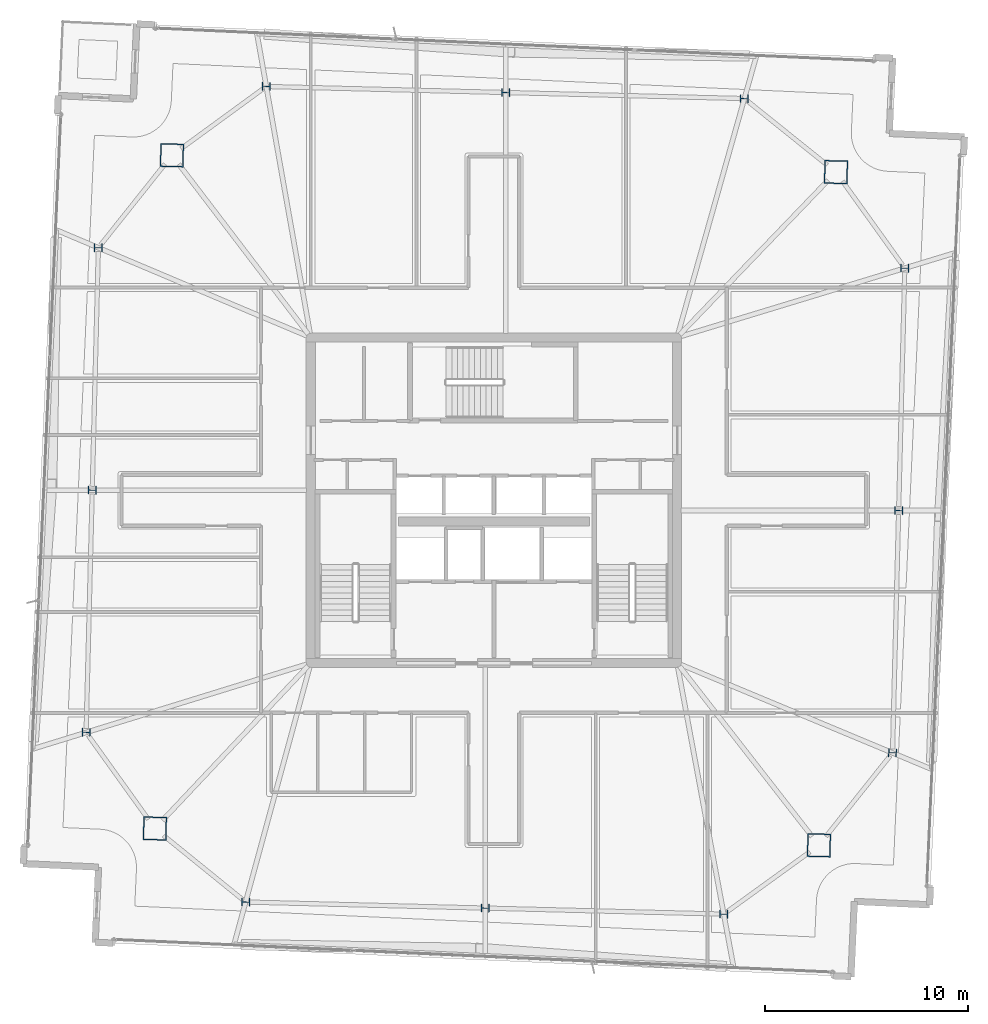
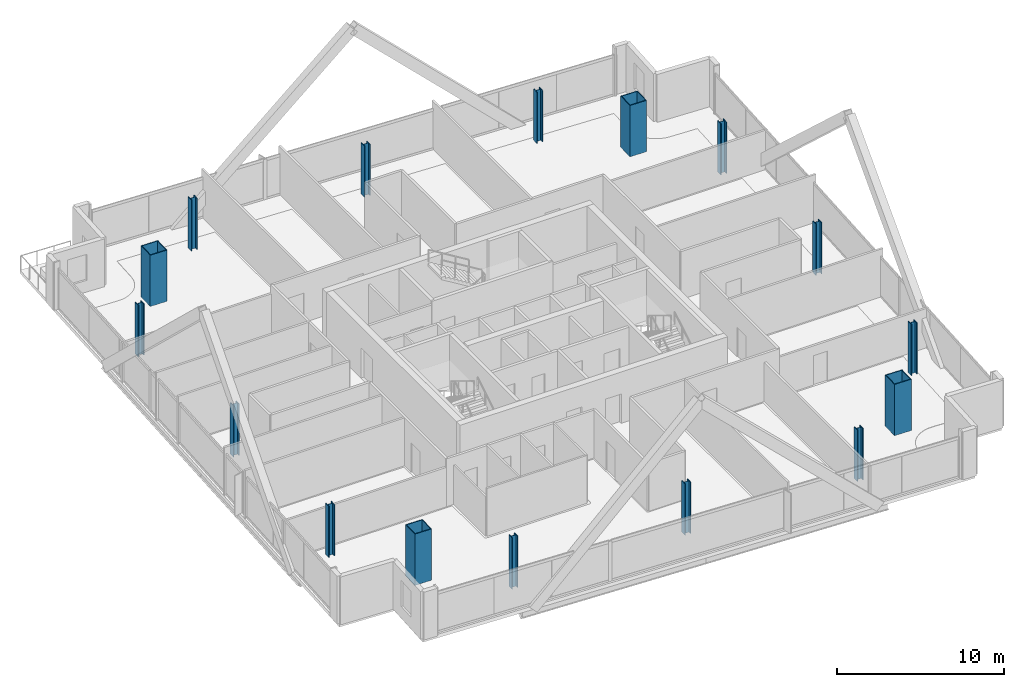
# One storey, part 1 of 26: 16 columns.
"""IFC4 building model written with IfcOpenShell, lengths in metres."""

import ifcopenshell
import ifcopenshell.guid

model = None  # the IFC model being written
_history = None  # IfcOwnerHistory: only IFC2X3 demands one
_inside = {}  # id of a spatial element -> (the spatial element, [elements in it])
_under = {}  # id of a project, library or spatial element -> (it, [spatial elements below it])
_declared = {}  # id of a project -> (the project, [libraries it declares])
_typed = {}  # id of a type object -> (the type object, [elements of that type])
_made_of = {}  # id of a material, layer set ... -> (it, [elements and type objects made of it])


def new_model(schema):
    """Start an empty IFC model of exactly this schema.

    Asked for "IFC4X3", IfcOpenShell would pick the latest addendum, in which some entities
    have other attributes; the version numbers below select the first issue.
    IFC2X3 requires an IfcOwnerHistory on every rooted entity: one is made here for all.
    """
    global model, _history
    if schema == "IFC4X3":
        model = ifcopenshell.file(schema_version=(4, 3, 0, 0))
    else:
        model = ifcopenshell.file(schema=schema)
    _inside.clear()
    _under.clear()
    _declared.clear()
    _typed.clear()
    _made_of.clear()
    _history = None
    if model.schema == "IFC2X3":
        org = make("IfcOrganization", Name="unknown")
        user = make(
            "IfcPersonAndOrganization",
            ThePerson=make("IfcPerson", FamilyName="unknown"),
            TheOrganization=org,
        )
        app = make(
            "IfcApplication",
            ApplicationDeveloper=org,
            Version="unknown",
            ApplicationFullName="unknown",
            ApplicationIdentifier="unknown",
        )
        _history = make(
            "IfcOwnerHistory",
            OwningUser=user,
            OwningApplication=app,
            ChangeAction="ADDED",
            CreationDate=0,
        )
    return model


def make(cls, **values):
    """One entity of the class cls with the attributes given. An attribute that is None is left unset."""
    return model.create_entity(
        cls, **{name: value for name, value in values.items() if value is not None}
    )


def rooted(cls, **values):
    """An entity with a GlobalId (a new one), such as an element, a storey or a relation."""
    return make(cls, GlobalId=ifcopenshell.guid.new(), OwnerHistory=_history, **values)


def si_unit(unit_type, name, prefix=None):
    """IfcSIUnit, for example si_unit("LENGTHUNIT", "METRE", prefix="MILLI")."""
    return make("IfcSIUnit", UnitType=unit_type, Prefix=prefix, Name=name)


def assignment(units):
    """IfcUnitAssignment: the units of a project."""
    return None if units is None else make("IfcUnitAssignment", Units=units)


def point(xyz):
    """IfcCartesianPoint."""
    return None if xyz is None else make("IfcCartesianPoint", Coordinates=xyz)


def direction(xyz):
    """IfcDirection."""
    return None if xyz is None else make("IfcDirection", DirectionRatios=xyz)


def frame(location, z_axis=None, x_axis=None):
    """IfcAxis2Placement3D, a coordinate frame: its origin and axes. An axis left out is left unset."""
    return make(
        "IfcAxis2Placement3D",
        Location=point(location),
        Axis=direction(z_axis),
        RefDirection=direction(x_axis),
    )


def frame_2d(location, x_axis=None):
    """IfcAxis2Placement2D, a coordinate frame in the plane: its origin and x axis."""
    return make(
        "IfcAxis2Placement2D", Location=point(location), RefDirection=direction(x_axis)
    )


def origin():
    """The frame at (0, 0, 0) with its axes left unset."""
    return frame((0.0, 0.0, 0.0))


def origin_2d():
    """The frame at (0, 0) in the plane with its x axis left unset."""
    return frame_2d((0.0, 0.0))


def place(relative_to, where):
    """IfcLocalPlacement: puts the frame where relative to a parent placement (None: the world)."""
    return make(
        "IfcLocalPlacement", PlacementRelTo=relative_to, RelativePlacement=where
    )


def context(
    kind, dimensions, precision=None, world=None, true_north=None, identifier=None
):
    """IfcGeometricRepresentationContext, for example the 3D "Model" context."""
    return make(
        "IfcGeometricRepresentationContext",
        ContextIdentifier=identifier,
        ContextType=kind,
        CoordinateSpaceDimension=dimensions,
        Precision=precision,
        WorldCoordinateSystem=world,
        TrueNorth=true_north,
    )


def subcontext(parent, identifier, kind, view, scale=None):
    """IfcGeometricRepresentationSubContext, for example "Body" below "Model"."""
    return make(
        "IfcGeometricRepresentationSubContext",
        ContextIdentifier=identifier,
        ContextType=kind,
        ParentContext=parent,
        TargetScale=scale,
        TargetView=view,
    )


def project(units=None, contexts=None):
    """IfcProject with its units and contexts."""
    return rooted(
        "IfcProject",
        Name="project",
        RepresentationContexts=contexts,
        UnitsInContext=assignment(units),
    )


def spatial(cls, under=None, at=None, **own):
    """A site, building, storey or space (cls), placed at a placement, below another one or the project."""
    s = rooted(cls, ObjectPlacement=at, **own)
    if under is not None:
        _under.setdefault(under.id(), (under, []))[1].append(s)
    return s


def profile(cls, at=None, kind="AREA", **sizes):
    """A parametric profile (cls). Its sizes go by their IFC names, for example OverallWidth=200.0."""
    return make(cls, ProfileType=kind, Position=at, **sizes)


def hollow_rectangle(**sizes):
    """IfcRectangleHollowProfileDef."""
    return profile("IfcRectangleHollowProfileDef", **sizes)


def i_section(**sizes):
    """IfcIShapeProfileDef."""
    return profile("IfcIShapeProfileDef", **sizes)


def extrude(swept, where, along, depth):
    """IfcExtrudedAreaSolid: the profile swept, set in the frame where, extruded along a direction by depth."""
    return make(
        "IfcExtrudedAreaSolid",
        SweptArea=swept,
        Position=where,
        ExtrudedDirection=direction(along),
        Depth=depth,
    )


def shape(context_of_items, identifier, shape_type, items):
    """IfcShapeRepresentation: the items that make up one representation, for example the "Body"."""
    return make(
        "IfcShapeRepresentation",
        ContextOfItems=context_of_items,
        RepresentationIdentifier=identifier,
        RepresentationType=shape_type,
        Items=items,
    )


def material(Name=None, Category=None):
    """IfcMaterial."""
    return make("IfcMaterial", Name=Name, Category=Category)


def material_profile(
    of_material, cross_section, Name=None, Category=None, Priority=None
):
    """IfcMaterialProfile: a cross section and its material."""
    return make(
        "IfcMaterialProfile",
        Name=Name,
        Material=of_material,
        Profile=cross_section,
        Priority=Priority,
        Category=Category,
    )


def profile_set(profiles, Name=None, composite=None):
    """IfcMaterialProfileSet."""
    return make(
        "IfcMaterialProfileSet",
        Name=Name,
        MaterialProfiles=profiles,
        CompositeProfile=composite,
    )


def made_of(thing, what):
    """Note that an element or type object is made of a material, layer set ...; save() writes the relation."""
    if what is not None:
        _made_of.setdefault(what.id(), (what, []))[1].append(thing)
    return thing


def type_object(cls, material=None, **own):
    """A type object (cls), such as IfcWallType, which elements share."""
    return made_of(rooted(cls, **own), material)


def element(
    cls,
    number,
    at=None,
    inside=None,
    cuts=None,
    type_object=None,
    material=None,
    context=None,
    identifier="Body",
    shape_type=None,
    held_by="IfcProductDefinitionShape",
    body=None,
    shapes=None,
    **own,
):
    """One element of the class cls, such as IfcWall. Its Tag is "e" and its number.

    at: its placement. inside: the storey or other place that contains it. cuts: it is an
    opening in that element (IfcRelVoidsElement). A single representation is given by context,
    identifier, shape_type and body (its items); several are given by shapes. held_by: the class
    of the entity that holds the representations. save() writes the other relations.
    """
    e = rooted(cls, Tag="e%d" % number, ObjectPlacement=at, **own)
    if body is not None:
        shapes = [shape(context, identifier, shape_type, body)]
    if shapes is not None:
        e.Representation = make(held_by, Representations=shapes)
    if inside is not None:
        _inside.setdefault(inside.id(), (inside, []))[1].append(e)
    if cuts is not None:
        rooted(
            "IfcRelVoidsElement", RelatingBuildingElement=cuts, RelatedOpeningElement=e
        )
    if type_object is not None:
        _typed.setdefault(type_object.id(), (type_object, []))[1].append(e)
    return made_of(e, material)


def aggregate(whole, parts):
    """IfcRelAggregates: a whole, such as a stair, and the parts it consists of."""
    return rooted("IfcRelAggregates", RelatingObject=whole, RelatedObjects=parts)


def save(model, path):
    """Write the relations noted so far, then the file.

    IfcRelAggregates (storeys below a building ...), IfcRelContainedInSpatialStructure (elements
    in a storey), IfcRelDefinesByType, IfcRelAssociatesMaterial and IfcRelDeclares: one each for
    every whole, place, type object, material and project.
    """
    for whole, parts in _under.values():
        aggregate(whole, parts)
    for where, things in _inside.values():
        rooted(
            "IfcRelContainedInSpatialStructure",
            RelatedElements=things,
            RelatingStructure=where,
        )
    for kind, things in _typed.values():
        rooted("IfcRelDefinesByType", RelatedObjects=things, RelatingType=kind)
    for what, things in _made_of.values():
        rooted("IfcRelAssociatesMaterial", RelatedObjects=things, RelatingMaterial=what)
    for by, libraries in _declared.values():
        rooted("IfcRelDeclares", RelatingContext=by, RelatedDefinitions=libraries)
    model.write(path)


model = new_model("IFC4")

# Units and contexts
model_context = context("Model", 3, precision=1e-05, world=origin(), true_north=direction((0.0, 1.0)))
body_context = subcontext(model_context, "Body", "Model", "MODEL_VIEW")
ifc_project = project(units=[si_unit("LENGTHUNIT", "METRE"), si_unit("AREAUNIT", "SQUARE_METRE"), si_unit("VOLUMEUNIT", "CUBIC_METRE"), si_unit("PLANEANGLEUNIT", "RADIAN"), si_unit("MASSUNIT", "GRAM", prefix="KILO")], contexts=[model_context])

# Site, building, storey
site_placement = place(None, origin())
site = spatial("IfcSite", under=ifc_project, at=site_placement, CompositionType="ELEMENT")
building_placement = place(site_placement, origin())
building = spatial("IfcBuilding", under=site, at=building_placement, Name="Haldenkirk Collegiate Tower", CompositionType="ELEMENT")
storey_placement = place(building_placement, frame((0.0, 0.0, 321.449951171875)))
storey = spatial("IfcBuildingStorey", under=building, at=storey_placement, Name="L81", CompositionType="ELEMENT", Elevation=321.449951171875)

# Columns
ifc_material_1 = material(Name="Steel ASTM A913 Grade 65", Category="steel")
ifc_material_profile_1 = material_profile(ifc_material_1, i_section(OverallWidth=0.406005859375, OverallDepth=0.416015625, WebThickness=0.02978515625, FlangeThickness=0.048095703125, at=origin_2d()), Name="W14X257")
ifc_profile_set_1 = profile_set([ifc_material_profile_1], Name="Steel ASTM A913 Grade 65")
column_type_1 = type_object("IfcColumnType", Name="COL-INT-W14X257", PredefinedType="COLUMN", material=ifc_profile_set_1)
for number, where, z_axis, x_axis, name in (
    (1, (55.592041015625, 13.584228515625, 0.0), (0.0, 0.0, 1.0), (0.025304572866, 0.999679788028, 0.0), "L81 perimeter gravity column PC-S1"),
    (2, (55.8935546875, 25.496337890625, 0.0), (0.0, 0.0, 1.0), (0.025304572866, 0.999679788028, 0.0), "L81 perimeter gravity column PC-S2"),
    (3, (56.1953125, 37.40869140625, 0.0), (0.0, 0.0, 1.0), (0.025304572866, 0.999679788028, 0.0), "L81 perimeter gravity column PC-S3"),
    (4, (48.3115234375, 45.744873046875, 0.0), (0.0, 0.0, 1.0), (0.025304572866, 0.999679788028, 0.0), "L81 perimeter gravity column PC-E1"),
    (5, (36.582275390625, 46.041748046875, 0.0), (0.0, 0.0, 1.0), (0.025304572866, 0.999679788028, 0.0), "L81 perimeter gravity column PC-E2"),
    (6, (24.81103515625, 46.339599609375, 0.0), (0.0, 0.0, 1.0), (0.025304572866, 0.999679788028, 0.0), "L81 perimeter gravity column PC-E3"),
    (7, (16.557861328125, 38.411865234375, 0.0), (0.0, 0.0, 1.0), (0.025304572866, 0.999679788028, 0.0), "L81 perimeter gravity column PC-N1"),
    (8, (16.25634765625, 26.499755859375, 0.0), (0.0, 0.0, 1.0), (0.025304572866, 0.999679788028, 0.0), "L81 perimeter gravity column PC-N2"),
    (9, (15.954833984375, 14.587646484375, 0.0), (0.0, 0.0, 1.0), (0.025304572866, 0.999679788028, 0.0), "L81 perimeter gravity column PC-N3"),
    (10, (23.79638671875, 6.25244140625, 0.0), (0.0, 0.0, 1.0), (0.025304572866, 0.999679788028, 0.0), "L81 perimeter gravity column PC-W1"),
    (11, (35.567626953125, 5.95458984375, 0.0), (0.0, 0.0, 1.0), (0.025304572866, 0.999679788028, 0.0), "L81 perimeter gravity column PC-W2"),
    (12, (47.296875, 5.65771484375, 0.0), (0.0, 0.0, 1.0), (0.025304572866, 0.999679788028, 0.0), "L81 perimeter gravity column PC-W3"),
):
    element("IfcColumn", number, at=place(storey_placement, frame(where, z_axis=z_axis, x_axis=x_axis)), inside=storey, type_object=column_type_1, Name=name, PredefinedType="COLUMN", context=body_context, shape_type="SweptSolid", body=[
        extrude(i_section(OverallWidth=0.406005859375, OverallDepth=0.416015625, WebThickness=0.02978515625, FlangeThickness=0.048095703125, at=origin_2d()), origin(), (0.0, 0.0, 1.0), 3.75),
    ])
ifc_material_2 = material(Name="Steel ASTM A572 Grade 50", Category="steel")
ifc_material_profile_2 = material_profile(ifc_material_2, hollow_rectangle(XDim=1.14990234375, YDim=1.14990234375, WallThickness=0.050048828125, at=origin_2d()), Name="BOX1150X1150X50")
ifc_profile_set_2 = profile_set([ifc_material_profile_2], Name="Steel ASTM A572 Grade 50")
column_type_2 = type_object("IfcColumnType", Name="COL-MEGA-BOX1150X1150X50", PredefinedType="COLUMN", material=ifc_profile_set_2)
for number, where, z_axis, x_axis, name in (
    (13, (51.97607421875, 9.040283203125, 0.0), (0.0, 0.0, 1.0), (0.025304572866, 0.999679788028, 0.0), "L81 corner mega-column MC1"),
    (14, (52.8134765625, 42.129638671875, 0.0), (0.0, 0.0, 1.0), (0.025304572866, 0.999679788028, 0.0), "L81 corner mega-column MC2"),
    (15, (20.174072265625, 42.955810546875, 0.0), (0.0, 0.0, 1.0), (0.025304572866, 0.999679788028, 0.0), "L81 corner mega-column MC3"),
    (16, (19.33642578125, 9.866455078125, 0.0), (0.0, 0.0, 1.0), (0.025304572866, 0.999679788028, 0.0), "L81 corner mega-column MC4"),
):
    element("IfcColumn", number, at=place(storey_placement, frame(where, z_axis=z_axis, x_axis=x_axis)), inside=storey, type_object=column_type_2, Name=name, PredefinedType="COLUMN", context=body_context, shape_type="SweptSolid", body=[
        extrude(hollow_rectangle(XDim=1.14990234375, YDim=1.14990234375, WallThickness=0.050048828125, at=origin_2d()), origin(), (0.0, 0.0, 1.0), 3.75),
    ])

save(model, "model.ifc")
